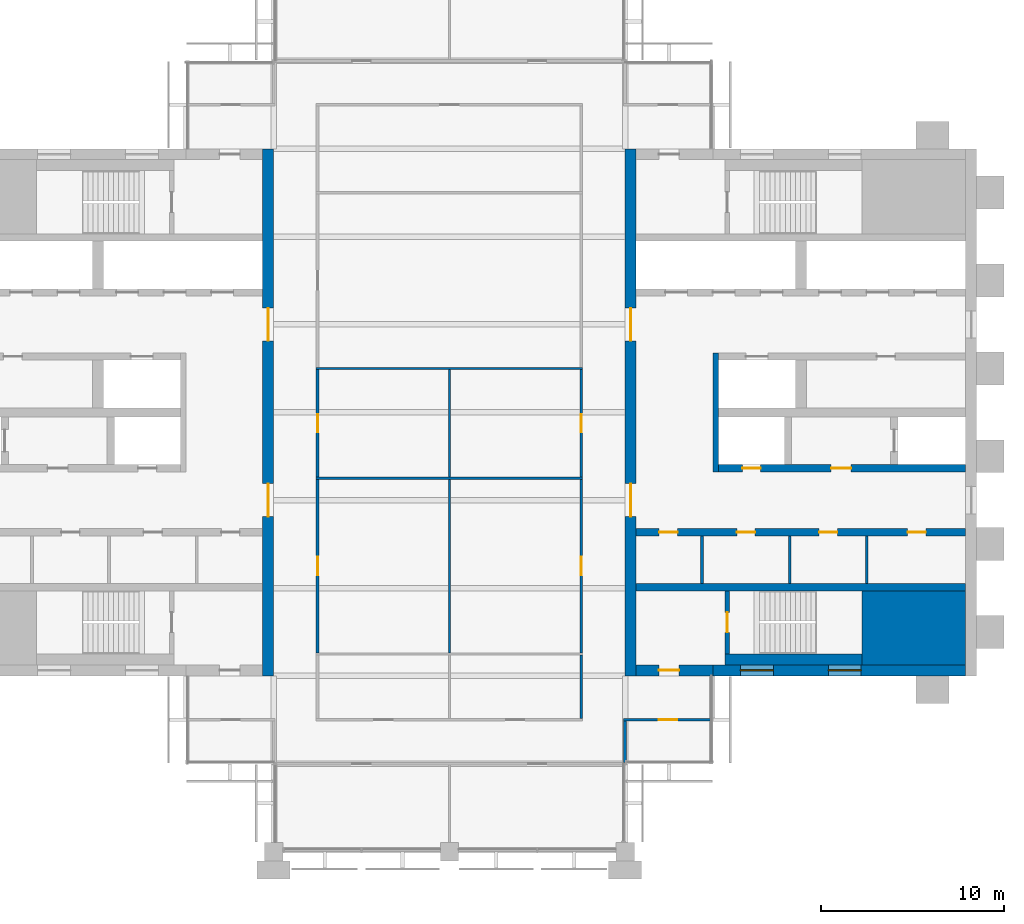
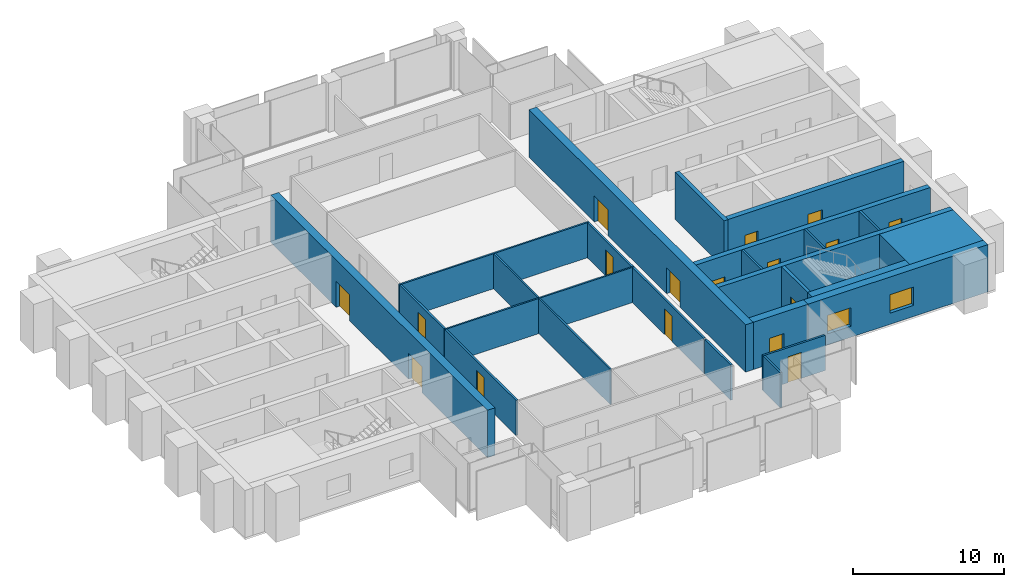
# One storey, part 9 of 12: 25 walls, 17 doors, 2 windows, 19 openings.
"""IFC4 building model written with IfcOpenShell, lengths in metres."""

from ifc_helpers import new_model, si_unit, direction, frame, frame_2d, origin, place, context, subcontext, project, spatial, rectangle, extrude, material, layer, layer_set, type_object, element, fill, save


model = new_model("IFC4")

# Units and contexts
model_context = context("Model", 3, precision=1e-05, world=origin(), true_north=direction((0.0, 1.0)))
body_context = subcontext(model_context, "Body", "Model", "MODEL_VIEW")
ifc_project = project(units=[si_unit("LENGTHUNIT", "METRE"), si_unit("AREAUNIT", "SQUARE_METRE"), si_unit("VOLUMEUNIT", "CUBIC_METRE"), si_unit("PLANEANGLEUNIT", "RADIAN"), si_unit("MASSUNIT", "GRAM", prefix="KILO")], contexts=[model_context])

# Site, building, storey
site_placement = place(None, origin())
site = spatial("IfcSite", under=ifc_project, at=site_placement, CompositionType="ELEMENT")
building_placement = place(site_placement, origin())
building = spatial("IfcBuilding", under=site, at=building_placement, Name="Baori Bourse Tower", CompositionType="ELEMENT")
storey_placement = place(building_placement, frame((0.0, 0.0, 310.300048828125)))
storey = spatial("IfcBuildingStorey", under=building, at=storey_placement, Name="L68", CompositionType="ELEMENT", Elevation=310.300048828125)

# Walls
ifc_material_1 = material(Name="Concrete f'c 40 MPa", Category="concrete")
wall_type_1 = type_object("IfcWallType", Name="Core corner block f'c 40", PredefinedType="SHEAR", material=ifc_material_1)
wall_1_placement = place(storey_placement, frame((51.35009765625, 12.22509765625, 0.0), z_axis=(0.0, 0.0, 1.0), x_axis=(1.0, 0.0, 0.0)))
element("IfcWall", 1, at=wall_1_placement, inside=storey, type_object=wall_type_1, Name="Core wall E05", PredefinedType="SHEAR", context=body_context, shape_type="SweptSolid", body=[
    extrude(rectangle(XDim=5.64990234375, YDim=4.050048828125, at=frame_2d((2.824951171875, 0.0))), origin(), (0.0, 0.0, 1.0), 3.83984375),
])
ifc_material_2 = material(Name="Blockwork partition", Category="masonry")
ifc_layer_1 = layer(ifc_material_2, 0.14990234375)
ifc_layer_set_1 = layer_set([ifc_layer_1], Name="Core partition 150")
wall_type_2 = type_object("IfcWallType", Name="Core partition 150", PredefinedType="PARTITIONING", material=ifc_layer_set_1)
for number, where, z_axis, x_axis, name in (
    (2, (51.60009765625, 14.64990234375, 0.0), (0.0, 0.0, 1.0), (0.0, 1.0, 0.0), "Partition wall E09"),
    (3, (47.39990234375, 14.64990234375, 0.0), (0.0, 0.0, 1.0), (0.0, 1.0, 0.0), "Partition wall E10"),
    (4, (42.60009765625, 14.64990234375, 0.0), (0.0, 0.0, 1.0), (0.0, 1.0, 0.0), "Partition wall E11"),
):
    element("IfcWall", number, at=place(storey_placement, frame(where, z_axis=z_axis, x_axis=x_axis)), inside=storey, type_object=wall_type_2, Name=name, PredefinedType="PARTITIONING", context=body_context, shape_type="SweptSolid", body=[
        extrude(rectangle(XDim=2.60009765625, YDim=0.14990234375, at=frame_2d((1.300048828125, 0.0))), origin(), (0.0, 0.0, 1.0), 3.83984375),
    ])

# Wall, openings, doors
ifc_material_3 = material(Name="Concrete f'c 40 MPa", Category="concrete")
ifc_layer_2 = layer(ifc_material_3, 0.60009765625)
ifc_layer_set_2 = layer_set([ifc_layer_2], Name="Core wall 600 f'c 40")
wall_type_3 = type_object("IfcWallType", Name="Core wall 600 f'c 40", PredefinedType="SHEAR", material=ifc_layer_set_2)
wall_2_placement = place(storey_placement, frame((18.89990234375, 38.39990234375, 0.0), z_axis=(0.0, 0.0, 1.0), x_axis=(0.0, -1.0, 0.0)))
wall_2 = element("IfcWall", 5, at=wall_2_placement, inside=storey, type_object=wall_type_3, Name="Core wall W04", PredefinedType="SHEAR", context=body_context, shape_type="SweptSolid", body=[
    extrude(rectangle(XDim=28.7998046875, YDim=0.60009765625, at=frame_2d((14.39990234375, 0.0))), origin(), (0.0, 0.0, 1.0), 3.83984375),
])
opening_1_placement = place(wall_2_placement, frame((18.300048828125, 0.0, 0.0)))
opening_1 = element("IfcOpeningElement", 6, at=opening_1_placement, cuts=wall_2, Name="Opening L68-D107", PredefinedType="OPENING", context=body_context, shape_type="SweptSolid", body=[
    extrude(rectangle(XDim=1.800048828125, YDim=2.10009765625, at=frame_2d((0.89990234375, 1.050048828125))), frame((0.0, 0.31005859375, 0.0), z_axis=(0.0, -1.0, 0.0), x_axis=(1.0, 0.0, 0.0)), (0.0, 0.0, 1.0), 0.6201171875),
])
opening_2_placement = place(wall_2_placement, frame((8.699951171875, 0.0, 0.0)))
opening_2 = element("IfcOpeningElement", 7, at=opening_2_placement, cuts=wall_2, Name="Opening L68-D108", PredefinedType="OPENING", context=body_context, shape_type="SweptSolid", body=[
    extrude(rectangle(XDim=1.800048828125, YDim=2.10009765625, at=frame_2d((0.89990234375, 1.050048828125))), frame((0.0, 0.31005859375, 0.0), z_axis=(0.0, -1.0, 0.0), x_axis=(1.0, 0.0, 0.0)), (0.0, 0.0, 1.0), 0.6201171875),
])
ifc_material_4 = material(Name="Painted steel door", Category="steel")
door_type_1 = type_object("IfcDoorType", Name="Core lobby door 1800", OperationType="DOUBLE_DOOR_SINGLE_SWING", PredefinedType="DOOR", material=ifc_material_4)
door_1_placement = place(opening_1_placement, origin())
door_1 = element("IfcDoor", 8, at=door_1_placement, inside=storey, type_object=door_type_1, Name="Lobby door W L68", OperationType="DOUBLE_DOOR_SINGLE_SWING", OverallHeight=2.10009765625, OverallWidth=1.800048828125, PredefinedType="DOOR", context=body_context, shape_type="SweptSolid", body=[
    extrude(rectangle(XDim=1.800048828125, YDim=2.10009765625, at=frame_2d((0.89990234375, 1.050048828125))), frame((0.0, 0.02490234375, 0.0), z_axis=(0.0, -1.0, 0.0), x_axis=(1.0, 0.0, 0.0)), (0.0, 0.0, 1.0), 0.050048828125),
])
fill(opening_1, door_1)
door_2_placement = place(opening_2_placement, origin())
door_2 = element("IfcDoor", 9, at=door_2_placement, inside=storey, type_object=door_type_1, Name="Lobby door W L68", OperationType="DOUBLE_DOOR_SINGLE_SWING", OverallHeight=2.10009765625, OverallWidth=1.800048828125, PredefinedType="DOOR", context=body_context, shape_type="SweptSolid", body=[
    extrude(rectangle(XDim=1.800048828125, YDim=2.10009765625, at=frame_2d((0.89990234375, 1.050048828125))), frame((0.0, 0.02490234375, 0.0), z_axis=(0.0, -1.0, 0.0), x_axis=(1.0, 0.0, 0.0)), (0.0, 0.0, 1.0), 0.050048828125),
])
fill(opening_2, door_2)

# Wall, openings, windows
wall_3_placement = place(storey_placement, frame((57.0, 9.89990234375, 0.0), z_axis=(0.0, 0.0, 1.0), x_axis=(-1.0, 0.0, 0.0)))
wall_3 = element("IfcWall", 10, at=wall_3_placement, inside=storey, type_object=wall_type_3, Name="Core wall E02", PredefinedType="SHEAR", context=body_context, shape_type="SweptSolid", body=[
    extrude(rectangle(XDim=13.800048828125, YDim=0.60009765625, at=frame_2d((6.89990234375, 0.0))), origin(), (0.0, 0.0, 1.0), 3.83984375),
])
opening_3_placement = place(wall_3_placement, frame((5.699951171875, 0.0, 0.89990234375)))
opening_3 = element("IfcOpeningElement", 11, at=opening_3_placement, cuts=wall_3, Name="Opening L68-KW203", PredefinedType="OPENING", context=body_context, shape_type="SweptSolid", body=[
    extrude(rectangle(XDim=1.800048828125, YDim=1.5, at=frame_2d((0.89990234375, 0.75))), frame((0.0, 0.31005859375, 0.0), z_axis=(0.0, -1.0, 0.0), x_axis=(1.0, 0.0, 0.0)), (0.0, 0.0, 1.0), 0.6201171875),
])
opening_4_placement = place(wall_3_placement, frame((10.5, 0.0, 0.89990234375)))
opening_4 = element("IfcOpeningElement", 12, at=opening_4_placement, cuts=wall_3, Name="Opening L68-KW204", PredefinedType="OPENING", context=body_context, shape_type="SweptSolid", body=[
    extrude(rectangle(XDim=1.800048828125, YDim=1.5, at=frame_2d((0.89990234375, 0.75))), frame((0.0, 0.31005859375, 0.0), z_axis=(0.0, -1.0, 0.0), x_axis=(1.0, 0.0, 0.0)), (0.0, 0.0, 1.0), 0.6201171875),
])
ifc_material_5 = material(Name="Pale anodised aluminium", Category="aluminium")
window_type = type_object("IfcWindowType", Name="Stair window 1800 x 1500", PartitioningType="SINGLE_PANEL", PredefinedType="WINDOW", material=ifc_material_5)
window_1_placement = place(opening_3_placement, origin())
window_1 = element("IfcWindow", 13, at=window_1_placement, inside=storey, type_object=window_type, Name="Stair window E L68 3", OverallHeight=1.5, OverallWidth=1.800048828125, PartitioningType="SINGLE_PANEL", PredefinedType="WINDOW", context=body_context, shape_type="SweptSolid", body=[
    extrude(rectangle(XDim=1.800048828125, YDim=1.5, at=frame_2d((0.89990234375, 0.75))), frame((0.0, 0.030029296875, 0.0), z_axis=(0.0, -1.0, 0.0), x_axis=(1.0, 0.0, 0.0)), (0.0, 0.0, 1.0), 0.06005859375),
])
fill(opening_3, window_1)
window_2_placement = place(opening_4_placement, origin())
window_2 = element("IfcWindow", 14, at=window_2_placement, inside=storey, type_object=window_type, Name="Stair window E L68 4", OverallHeight=1.5, OverallWidth=1.800048828125, PartitioningType="SINGLE_PANEL", PredefinedType="WINDOW", context=body_context, shape_type="SweptSolid", body=[
    extrude(rectangle(XDim=1.800048828125, YDim=1.5, at=frame_2d((0.89990234375, 0.75))), frame((0.0, 0.030029296875, 0.0), z_axis=(0.0, -1.0, 0.0), x_axis=(1.0, 0.0, 0.0)), (0.0, 0.0, 1.0), 0.06005859375),
])
fill(opening_4, window_2)

# Wall, opening, door
wall_4_placement = place(storey_placement, frame((43.199951171875, 9.89990234375, 0.0), z_axis=(0.0, 0.0, 1.0), x_axis=(-1.0, 0.0, 0.0)))
wall_4 = element("IfcWall", 15, at=wall_4_placement, inside=storey, type_object=wall_type_3, Name="Core wall E03", PredefinedType="SHEAR", context=body_context, shape_type="SweptSolid", body=[
    extrude(rectangle(XDim=4.199951171875, YDim=0.60009765625, at=frame_2d((2.10009765625, 0.0))), origin(), (0.0, 0.0, 1.0), 3.83984375),
])
opening_5_placement = place(wall_4_placement, frame((1.85009765625, 0.0, 0.0)))
opening_5 = element("IfcOpeningElement", 16, at=opening_5_placement, cuts=wall_4, Name="Opening L68-D202", PredefinedType="OPENING", context=body_context, shape_type="SweptSolid", body=[
    extrude(rectangle(XDim=1.10009765625, YDim=2.10009765625, at=frame_2d((0.550048828125, 1.050048828125))), frame((0.0, 0.31005859375, 0.0), z_axis=(0.0, -1.0, 0.0), x_axis=(1.0, 0.0, 0.0)), (0.0, 0.0, 1.0), 0.6201171875),
])
ifc_material_6 = material(Name="Painted steel door", Category="steel")
door_type_2 = type_object("IfcDoorType", Name="Stair door 1100", OperationType="SINGLE_SWING_LEFT", PredefinedType="DOOR", material=ifc_material_6)
door_3_placement = place(opening_5_placement, origin())
door_3 = element("IfcDoor", 17, at=door_3_placement, inside=storey, type_object=door_type_2, Name="Stair vestibule door A E L68", OperationType="SINGLE_SWING_LEFT", OverallHeight=2.10009765625, OverallWidth=1.10009765625, PredefinedType="DOOR", context=body_context, shape_type="SweptSolid", body=[
    extrude(rectangle(XDim=1.10009765625, YDim=2.10009765625, at=frame_2d((0.550048828125, 1.050048828125))), frame((0.0, 0.02490234375, 0.0), z_axis=(0.0, -1.0, 0.0), x_axis=(1.0, 0.0, 0.0)), (0.0, 0.0, 1.0), 0.050048828125),
])
fill(opening_5, door_3)

# Wall, openings, doors
wall_5_placement = place(storey_placement, frame((38.699951171875, 9.60009765625, 0.0), z_axis=(0.0, 0.0, 1.0), x_axis=(0.0, 1.0, 0.0)))
wall_5 = element("IfcWall", 18, at=wall_5_placement, inside=storey, type_object=wall_type_3, Name="Core wall E04", PredefinedType="SHEAR", context=body_context, shape_type="SweptSolid", body=[
    extrude(rectangle(XDim=28.7998046875, YDim=0.60009765625, at=frame_2d((14.39990234375, 0.0))), origin(), (0.0, 0.0, 1.0), 3.83984375),
])
opening_6_placement = place(wall_5_placement, frame((8.699951171875, 0.0, 0.0)))
opening_6 = element("IfcOpeningElement", 19, at=opening_6_placement, cuts=wall_5, Name="Opening L68-D207", PredefinedType="OPENING", context=body_context, shape_type="SweptSolid", body=[
    extrude(rectangle(XDim=1.800048828125, YDim=2.10009765625, at=frame_2d((0.89990234375, 1.050048828125))), frame((0.0, 0.31005859375, 0.0), z_axis=(0.0, -1.0, 0.0), x_axis=(1.0, 0.0, 0.0)), (0.0, 0.0, 1.0), 0.6201171875),
])
opening_7_placement = place(wall_5_placement, frame((18.300048828125, 0.0, 0.0)))
opening_7 = element("IfcOpeningElement", 20, at=opening_7_placement, cuts=wall_5, Name="Opening L68-D208", PredefinedType="OPENING", context=body_context, shape_type="SweptSolid", body=[
    extrude(rectangle(XDim=1.800048828125, YDim=2.10009765625, at=frame_2d((0.89990234375, 1.050048828125))), frame((0.0, 0.31005859375, 0.0), z_axis=(0.0, -1.0, 0.0), x_axis=(1.0, 0.0, 0.0)), (0.0, 0.0, 1.0), 0.6201171875),
])
door_4_placement = place(opening_6_placement, origin())
door_4 = element("IfcDoor", 21, at=door_4_placement, inside=storey, type_object=door_type_1, Name="Lobby door E L68", OperationType="DOUBLE_DOOR_SINGLE_SWING", OverallHeight=2.10009765625, OverallWidth=1.800048828125, PredefinedType="DOOR", context=body_context, shape_type="SweptSolid", body=[
    extrude(rectangle(XDim=1.800048828125, YDim=2.10009765625, at=frame_2d((0.89990234375, 1.050048828125))), frame((0.0, 0.02490234375, 0.0), z_axis=(0.0, -1.0, 0.0), x_axis=(1.0, 0.0, 0.0)), (0.0, 0.0, 1.0), 0.050048828125),
])
fill(opening_6, door_4)
door_5_placement = place(opening_7_placement, origin())
door_5 = element("IfcDoor", 22, at=door_5_placement, inside=storey, type_object=door_type_1, Name="Lobby door E L68", OperationType="DOUBLE_DOOR_SINGLE_SWING", OverallHeight=2.10009765625, OverallWidth=1.800048828125, PredefinedType="DOOR", context=body_context, shape_type="SweptSolid", body=[
    extrude(rectangle(XDim=1.800048828125, YDim=2.10009765625, at=frame_2d((0.89990234375, 1.050048828125))), frame((0.0, 0.02490234375, 0.0), z_axis=(0.0, -1.0, 0.0), x_axis=(1.0, 0.0, 0.0)), (0.0, 0.0, 1.0), 0.050048828125),
])
fill(opening_7, door_5)

# Wall, opening, door
ifc_material_7 = material(Name="Gypsum board partition")
ifc_layer_3 = layer(ifc_material_7, 0.14990234375)
ifc_layer_set_3 = layer_set([ifc_layer_3], Name="Corridor partition 150")
wall_type_4 = type_object("IfcWallType", Name="Corridor partition 150", PredefinedType="PARTITIONING", material=ifc_layer_set_3)
wall_6_placement = place(storey_placement, frame((38.324951171875, 7.199951171875, 0.0), z_axis=(0.0, 0.0, 1.0), x_axis=(1.0, 0.0, 0.0)))
wall_6 = element("IfcWall", 23, at=wall_6_placement, inside=storey, type_object=wall_type_4, Name="Partition", PredefinedType="PARTITIONING", context=body_context, shape_type="SweptSolid", body=[
    extrude(rectangle(XDim=4.775146484375, YDim=0.14990234375, at=frame_2d((2.3876953125, 0.0))), origin(), (0.0, 0.0, 1.0), 2.849365234375),
])
opening_8_placement = place(wall_6_placement, frame((1.925048828125, 0.0, 0.0)))
opening_8 = element("IfcOpeningElement", 24, at=opening_8_placement, cuts=wall_6, Name="Opening L68-D06", PredefinedType="OPENING", context=body_context, shape_type="SweptSolid", body=[
    extrude(rectangle(XDim=1.0, YDim=2.10009765625, at=frame_2d((0.5, 1.050048828125))), frame((0.0, 0.0849609375, 0.0), z_axis=(0.0, -1.0, 0.0), x_axis=(1.0, 0.0, 0.0)), (0.0, 0.0, 1.0), 0.169921875),
])
ifc_material_8 = material(Name="Timber door leaf", Category="wood")
door_type_3 = type_object("IfcDoorType", Name="Door 1000 x 2100", OperationType="SINGLE_SWING_LEFT", PredefinedType="DOOR", material=ifc_material_8)
door_6_placement = place(opening_8_placement, origin())
door_6 = element("IfcDoor", 25, at=door_6_placement, inside=storey, type_object=door_type_3, Name="Door", OperationType="SINGLE_SWING_RIGHT", OverallHeight=2.10009765625, OverallWidth=1.0, PredefinedType="DOOR", context=body_context, shape_type="SweptSolid", body=[
    extrude(rectangle(XDim=1.0, YDim=2.10009765625, at=frame_2d((0.5, 1.050048828125))), frame((0.0, 0.02490234375, 0.0), z_axis=(0.0, -1.0, 0.0), x_axis=(1.0, 0.0, 0.0)), (0.0, 0.0, 1.0), 0.050048828125),
])
fill(opening_8, door_6)

wall_7_placement = place(storey_placement, frame((21.60009765625, 10.862548828125, 0.0), z_axis=(0.0, 0.0, 1.0), x_axis=(0.0, 1.0, 0.0)))
wall_7 = element("IfcWall", 26, at=wall_7_placement, inside=storey, type_object=wall_type_4, Name="Partition", PredefinedType="PARTITIONING", context=body_context, shape_type="SweptSolid", body=[
    extrude(rectangle(XDim=9.474853515625, YDim=0.14990234375, at=frame_2d((4.7373046875, 0.0))), origin(), (0.0, 0.0, 1.0), 2.849365234375),
])
opening_9_placement = place(wall_7_placement, frame((4.237548828125, 0.0, 0.0)))
opening_9 = element("IfcOpeningElement", 27, at=opening_9_placement, cuts=wall_7, Name="Opening L68-D12", PredefinedType="OPENING", context=body_context, shape_type="SweptSolid", body=[
    extrude(rectangle(XDim=1.0, YDim=2.10009765625, at=frame_2d((0.5, 1.050048828125))), frame((0.0, 0.0849609375, 0.0), z_axis=(0.0, -1.0, 0.0), x_axis=(1.0, 0.0, 0.0)), (0.0, 0.0, 1.0), 0.169921875),
])
door_7_placement = place(opening_9_placement, origin())
door_7 = element("IfcDoor", 28, at=door_7_placement, inside=storey, type_object=door_type_3, Name="Door", OperationType="SINGLE_SWING_LEFT", OverallHeight=2.10009765625, OverallWidth=1.0, PredefinedType="DOOR", context=body_context, shape_type="SweptSolid", body=[
    extrude(rectangle(XDim=1.0, YDim=2.10009765625, at=frame_2d((0.5, 1.050048828125))), frame((0.0, 0.02490234375, 0.0), z_axis=(0.0, -1.0, 0.0), x_axis=(1.0, 0.0, 0.0)), (0.0, 0.0, 1.0), 0.050048828125),
])
fill(opening_9, door_7)

wall_8_placement = place(storey_placement, frame((21.60009765625, 20.46240234375, 0.0), z_axis=(0.0, 0.0, 1.0), x_axis=(0.0, 1.0, 0.0)))
wall_8 = element("IfcWall", 29, at=wall_8_placement, inside=storey, type_object=wall_type_4, Name="Partition", PredefinedType="PARTITIONING", context=body_context, shape_type="SweptSolid", body=[
    extrude(rectangle(XDim=5.875, YDim=0.14990234375, at=frame_2d((2.9375, 0.0))), origin(), (0.0, 0.0, 1.0), 2.849365234375),
])
opening_10_placement = place(wall_8_placement, frame((2.4375, 0.0, 0.0)))
opening_10 = element("IfcOpeningElement", 30, at=opening_10_placement, cuts=wall_8, Name="Opening L68-D13", PredefinedType="OPENING", context=body_context, shape_type="SweptSolid", body=[
    extrude(rectangle(XDim=1.0, YDim=2.10009765625, at=frame_2d((0.5, 1.050048828125))), frame((0.0, 0.0849609375, 0.0), z_axis=(0.0, -1.0, 0.0), x_axis=(1.0, 0.0, 0.0)), (0.0, 0.0, 1.0), 0.169921875),
])
door_8_placement = place(opening_10_placement, origin())
door_8 = element("IfcDoor", 31, at=door_8_placement, inside=storey, type_object=door_type_3, Name="Door", OperationType="SINGLE_SWING_LEFT", OverallHeight=2.10009765625, OverallWidth=1.0, PredefinedType="DOOR", context=body_context, shape_type="SweptSolid", body=[
    extrude(rectangle(XDim=1.0, YDim=2.10009765625, at=frame_2d((0.5, 1.050048828125))), frame((0.0, 0.02490234375, 0.0), z_axis=(0.0, -1.0, 0.0), x_axis=(1.0, 0.0, 0.0)), (0.0, 0.0, 1.0), 0.050048828125),
])
fill(opening_10, door_8)

# Wall
wall_9_placement = place(storey_placement, frame((36.0, 7.27490234375, 0.0), z_axis=(0.0, 0.0, 1.0), x_axis=(0.0, 1.0, 0.0)))
element("IfcWall", 32, at=wall_9_placement, inside=storey, type_object=wall_type_4, Name="Partition", PredefinedType="PARTITIONING", context=body_context, shape_type="SweptSolid", body=[
    extrude(rectangle(XDim=3.462646484375, YDim=0.14990234375, at=frame_2d((1.7314453125, 0.0))), origin(), (0.0, 0.0, 1.0), 2.849365234375),
])

# Wall, opening, door
wall_10_placement = place(storey_placement, frame((36.0, 10.862548828125, 0.0), z_axis=(0.0, 0.0, 1.0), x_axis=(0.0, 1.0, 0.0)))
wall_10 = element("IfcWall", 33, at=wall_10_placement, inside=storey, type_object=wall_type_4, Name="Partition", PredefinedType="PARTITIONING", context=body_context, shape_type="SweptSolid", body=[
    extrude(rectangle(XDim=9.474853515625, YDim=0.14990234375, at=frame_2d((4.7373046875, 0.0))), origin(), (0.0, 0.0, 1.0), 2.849365234375),
])
opening_11_placement = place(wall_10_placement, frame((4.237548828125, 0.0, 0.0)))
opening_11 = element("IfcOpeningElement", 34, at=opening_11_placement, cuts=wall_10, Name="Opening L68-D15", PredefinedType="OPENING", context=body_context, shape_type="SweptSolid", body=[
    extrude(rectangle(XDim=1.0, YDim=2.10009765625, at=frame_2d((0.5, 1.050048828125))), frame((0.0, 0.0849609375, 0.0), z_axis=(0.0, -1.0, 0.0), x_axis=(1.0, 0.0, 0.0)), (0.0, 0.0, 1.0), 0.169921875),
])
door_9_placement = place(opening_11_placement, origin())
door_9 = element("IfcDoor", 35, at=door_9_placement, inside=storey, type_object=door_type_3, Name="Door", OperationType="SINGLE_SWING_RIGHT", OverallHeight=2.10009765625, OverallWidth=1.0, PredefinedType="DOOR", context=body_context, shape_type="SweptSolid", body=[
    extrude(rectangle(XDim=1.0, YDim=2.10009765625, at=frame_2d((0.5, 1.050048828125))), frame((0.0, 0.02490234375, 0.0), z_axis=(0.0, -1.0, 0.0), x_axis=(1.0, 0.0, 0.0)), (0.0, 0.0, 1.0), 0.050048828125),
])
fill(opening_11, door_9)

wall_11_placement = place(storey_placement, frame((36.0, 20.46240234375, 0.0), z_axis=(0.0, 0.0, 1.0), x_axis=(0.0, 1.0, 0.0)))
wall_11 = element("IfcWall", 36, at=wall_11_placement, inside=storey, type_object=wall_type_4, Name="Partition", PredefinedType="PARTITIONING", context=body_context, shape_type="SweptSolid", body=[
    extrude(rectangle(XDim=5.875, YDim=0.14990234375, at=frame_2d((2.9375, 0.0))), origin(), (0.0, 0.0, 1.0), 2.849365234375),
])
opening_12_placement = place(wall_11_placement, frame((2.4375, 0.0, 0.0)))
opening_12 = element("IfcOpeningElement", 37, at=opening_12_placement, cuts=wall_11, Name="Opening L68-D16", PredefinedType="OPENING", context=body_context, shape_type="SweptSolid", body=[
    extrude(rectangle(XDim=1.0, YDim=2.10009765625, at=frame_2d((0.5, 1.050048828125))), frame((0.0, 0.0849609375, 0.0), z_axis=(0.0, -1.0, 0.0), x_axis=(1.0, 0.0, 0.0)), (0.0, 0.0, 1.0), 0.169921875),
])
door_10_placement = place(opening_12_placement, origin())
door_10 = element("IfcDoor", 38, at=door_10_placement, inside=storey, type_object=door_type_3, Name="Door", OperationType="SINGLE_SWING_RIGHT", OverallHeight=2.10009765625, OverallWidth=1.0, PredefinedType="DOOR", context=body_context, shape_type="SweptSolid", body=[
    extrude(rectangle(XDim=1.0, YDim=2.10009765625, at=frame_2d((0.5, 1.050048828125))), frame((0.0, 0.02490234375, 0.0), z_axis=(0.0, -1.0, 0.0), x_axis=(1.0, 0.0, 0.0)), (0.0, 0.0, 1.0), 0.050048828125),
])
fill(opening_12, door_10)

# Walls
wall_12_placement = place(storey_placement, frame((38.39990234375, 4.875, 0.0), z_axis=(0.0, 0.0, 1.0), x_axis=(0.0, 1.0, 0.0)))
element("IfcWall", 39, at=wall_12_placement, inside=storey, type_object=wall_type_4, Name="Partition", PredefinedType="PARTITIONING", context=body_context, shape_type="SweptSolid", body=[
    extrude(rectangle(XDim=2.25, YDim=0.14990234375, at=frame_2d((1.125, 0.0))), origin(), (0.0, 0.0, 1.0), 2.849365234375),
])
ifc_material_9 = material(Name="Gypsum board partition")
ifc_layer_4 = layer(ifc_material_9, 0.125)
ifc_layer_set_4 = layer_set([ifc_layer_4], Name="Partition 125")
wall_type_5 = type_object("IfcWallType", Name="Partition 125", PredefinedType="PARTITIONING", material=ifc_layer_set_4)
for number, where, z_axis, x_axis, name in (
    (40, (21.52490234375, 20.39990234375, 0.0), (0.0, 0.0, 1.0), (1.0, 0.0, 0.0), "Partition"),
    (41, (21.52490234375, 26.39990234375, 0.0), (0.0, 0.0, 1.0), (1.0, 0.0, 0.0), "Partition"),
):
    element("IfcWall", number, at=place(storey_placement, frame(where, z_axis=z_axis, x_axis=x_axis)), inside=storey, type_object=wall_type_5, Name=name, PredefinedType="PARTITIONING", context=body_context, shape_type="SweptSolid", body=[
        extrude(rectangle(XDim=14.550048828125, YDim=0.125, at=frame_2d((7.27490234375, 0.0))), origin(), (0.0, 0.0, 1.0), 2.849365234375),
    ])
wall_13_placement = place(storey_placement, frame((28.800048828125, 10.862548828125, 0.0), z_axis=(0.0, 0.0, 1.0), x_axis=(0.0, 1.0, 0.0)))
element("IfcWall", 42, at=wall_13_placement, inside=storey, type_object=wall_type_5, Name="Partition", PredefinedType="PARTITIONING", context=body_context, shape_type="SweptSolid", body=[
    extrude(rectangle(XDim=9.474853515625, YDim=0.125, at=frame_2d((4.7373046875, 0.0))), origin(), (0.0, 0.0, 1.0), 2.849365234375),
])
wall_14_placement = place(storey_placement, frame((28.800048828125, 20.46240234375, 0.0), z_axis=(0.0, 0.0, 1.0), x_axis=(0.0, 1.0, 0.0)))
element("IfcWall", 43, at=wall_14_placement, inside=storey, type_object=wall_type_5, Name="Partition", PredefinedType="PARTITIONING", context=body_context, shape_type="SweptSolid", body=[
    extrude(rectangle(XDim=5.875, YDim=0.125, at=frame_2d((2.9375, 0.0))), origin(), (0.0, 0.0, 1.0), 2.849365234375),
])

# Wall, opening, door
ifc_material_10 = material(Name="Concrete f'c 40 MPa", Category="concrete")
ifc_layer_5 = layer(ifc_material_10, 0.25)
ifc_layer_set_5 = layer_set([ifc_layer_5], Name="Shaft wall 250 f'c 40")
wall_type_6 = type_object("IfcWallType", Name="Shaft wall 250 f'c 40", PredefinedType="SHEAR", material=ifc_layer_set_5)
wall_15_placement = place(storey_placement, frame((43.97509765625, 10.800048828125, 0.0), z_axis=(0.0, 0.0, 1.0), x_axis=(0.0, 1.0, 0.0)))
wall_15 = element("IfcWall", 44, at=wall_15_placement, inside=storey, type_object=wall_type_6, Name="Core wall E07", PredefinedType="SHEAR", context=body_context, shape_type="SweptSolid", body=[
    extrude(rectangle(XDim=3.449951171875, YDim=0.25, at=frame_2d((1.72509765625, 0.0))), origin(), (0.0, 0.0, 1.0), 3.83984375),
])
opening_13_placement = place(wall_15_placement, frame((1.175048828125, 0.0, 0.0)))
opening_13 = element("IfcOpeningElement", 45, at=opening_13_placement, cuts=wall_15, Name="Opening L68-D201", PredefinedType="OPENING", context=body_context, shape_type="SweptSolid", body=[
    extrude(rectangle(XDim=1.10009765625, YDim=2.10009765625, at=frame_2d((0.550048828125, 1.050048828125))), frame((0.0, 0.135009765625, 0.0), z_axis=(0.0, -1.0, 0.0), x_axis=(1.0, 0.0, 0.0)), (0.0, 0.0, 1.0), 0.27001953125),
])
door_11_placement = place(opening_13_placement, origin())
door_11 = element("IfcDoor", 46, at=door_11_placement, inside=storey, type_object=door_type_2, Name="Stair door A E L68", OperationType="SINGLE_SWING_LEFT", OverallHeight=2.10009765625, OverallWidth=1.10009765625, PredefinedType="DOOR", context=body_context, shape_type="SweptSolid", body=[
    extrude(rectangle(XDim=1.10009765625, YDim=2.10009765625, at=frame_2d((0.550048828125, 1.050048828125))), frame((0.0, 0.02490234375, 0.0), z_axis=(0.0, -1.0, 0.0), x_axis=(1.0, 0.0, 0.0)), (0.0, 0.0, 1.0), 0.050048828125),
])
fill(opening_13, door_11)

# Walls
ifc_material_11 = material(Name="Concrete f'c 40 MPa", Category="concrete")
ifc_layer_6 = layer(ifc_material_11, 0.300048828125)
ifc_layer_set_6 = layer_set([ifc_layer_6], Name="Shaft wall 300 f'c 40")
wall_type_7 = type_object("IfcWallType", Name="Shaft wall 300 f'c 40", PredefinedType="SHEAR", material=ifc_layer_set_6)
wall_16_placement = place(storey_placement, frame((43.35009765625, 20.75, 0.0), z_axis=(0.0, 0.0, 1.0), x_axis=(0.0, 1.0, 0.0)))
element("IfcWall", 47, at=wall_16_placement, inside=storey, type_object=wall_type_7, Name="Core wall E14", PredefinedType="SHEAR", context=body_context, shape_type="SweptSolid", body=[
    extrude(rectangle(XDim=6.5, YDim=0.300048828125, at=frame_2d((3.25, 0.0))), origin(), (0.0, 0.0, 1.0), 3.83984375),
])
ifc_material_12 = material(Name="Concrete f'c 40 MPa", Category="concrete")
ifc_layer_7 = layer(ifc_material_12, 0.39990234375)
ifc_layer_set_7 = layer_set([ifc_layer_7], Name="Shaft wall 400 f'c 40")
wall_type_8 = type_object("IfcWallType", Name="Shaft wall 400 f'c 40", PredefinedType="SHEAR", material=ifc_layer_set_7)
wall_17_placement = place(storey_placement, frame((39.0, 14.449951171875, 0.0), z_axis=(0.0, 0.0, 1.0), x_axis=(1.0, 0.0, 0.0)))
element("IfcWall", 48, at=wall_17_placement, inside=storey, type_object=wall_type_8, Name="Core wall E08", PredefinedType="SHEAR", context=body_context, shape_type="SweptSolid", body=[
    extrude(rectangle(XDim=18.0, YDim=0.39990234375, at=frame_2d((9.0, 0.0))), origin(), (0.0, 0.0, 1.0), 3.83984375),
])

# Wall, openings, doors
wall_18_placement = place(storey_placement, frame((39.0, 17.449951171875, 0.0), z_axis=(0.0, 0.0, 1.0), x_axis=(1.0, 0.0, 0.0)))
wall_18 = element("IfcWall", 49, at=wall_18_placement, inside=storey, type_object=wall_type_8, Name="Core wall E12", PredefinedType="SHEAR", context=body_context, shape_type="SweptSolid", body=[
    extrude(rectangle(XDim=18.0, YDim=0.39990234375, at=frame_2d((9.0, 0.0))), origin(), (0.0, 0.0, 1.0), 3.83984375),
])
opening_14_placement = place(wall_18_placement, frame((14.83740234375, 0.0, 0.0)))
opening_14 = element("IfcOpeningElement", 50, at=opening_14_placement, cuts=wall_18, Name="Opening L68-D209", PredefinedType="OPENING", context=body_context, shape_type="SweptSolid", body=[
    extrude(rectangle(XDim=1.0, YDim=2.10009765625, at=frame_2d((0.5, 1.050048828125))), frame((0.0, 0.2099609375, 0.0), z_axis=(0.0, -1.0, 0.0), x_axis=(1.0, 0.0, 0.0)), (0.0, 0.0, 1.0), 0.419921875),
])
opening_15_placement = place(wall_18_placement, frame((10.0, 0.0, 0.0)))
opening_15 = element("IfcOpeningElement", 51, at=opening_15_placement, cuts=wall_18, Name="Opening L68-D210", PredefinedType="OPENING", context=body_context, shape_type="SweptSolid", body=[
    extrude(rectangle(XDim=1.0, YDim=2.10009765625, at=frame_2d((0.5, 1.050048828125))), frame((0.0, 0.2099609375, 0.0), z_axis=(0.0, -1.0, 0.0), x_axis=(1.0, 0.0, 0.0)), (0.0, 0.0, 1.0), 0.419921875),
])
opening_16_placement = place(wall_18_placement, frame((5.5, 0.0, 0.0)))
opening_16 = element("IfcOpeningElement", 52, at=opening_16_placement, cuts=wall_18, Name="Opening L68-D211", PredefinedType="OPENING", context=body_context, shape_type="SweptSolid", body=[
    extrude(rectangle(XDim=1.0, YDim=2.10009765625, at=frame_2d((0.5, 1.050048828125))), frame((0.0, 0.2099609375, 0.0), z_axis=(0.0, -1.0, 0.0), x_axis=(1.0, 0.0, 0.0)), (0.0, 0.0, 1.0), 0.419921875),
])
opening_17_placement = place(wall_18_placement, frame((1.262451171875, 0.0, 0.0)))
opening_17 = element("IfcOpeningElement", 53, at=opening_17_placement, cuts=wall_18, Name="Opening L68-D212", PredefinedType="OPENING", context=body_context, shape_type="SweptSolid", body=[
    extrude(rectangle(XDim=1.0, YDim=2.10009765625, at=frame_2d((0.5, 1.050048828125))), frame((0.0, 0.2099609375, 0.0), z_axis=(0.0, -1.0, 0.0), x_axis=(1.0, 0.0, 0.0)), (0.0, 0.0, 1.0), 0.419921875),
])
ifc_material_13 = material(Name="Painted steel door", Category="steel")
door_type_4 = type_object("IfcDoorType", Name="Core door 1000", OperationType="SINGLE_SWING_LEFT", PredefinedType="DOOR", material=ifc_material_13)
door_12_placement = place(opening_14_placement, origin())
door_12 = element("IfcDoor", 54, at=door_12_placement, inside=storey, type_object=door_type_4, Name="Men'S Wc door E L68", OperationType="SINGLE_SWING_LEFT", OverallHeight=2.10009765625, OverallWidth=1.0, PredefinedType="DOOR", context=body_context, shape_type="SweptSolid", body=[
    extrude(rectangle(XDim=1.0, YDim=2.10009765625, at=frame_2d((0.5, 1.050048828125))), frame((0.0, 0.02490234375, 0.0), z_axis=(0.0, -1.0, 0.0), x_axis=(1.0, 0.0, 0.0)), (0.0, 0.0, 1.0), 0.050048828125),
])
fill(opening_14, door_12)
door_13_placement = place(opening_15_placement, origin())
door_13 = element("IfcDoor", 55, at=door_13_placement, inside=storey, type_object=door_type_4, Name="Accessible Wc door E L68", OperationType="SINGLE_SWING_LEFT", OverallHeight=2.10009765625, OverallWidth=1.0, PredefinedType="DOOR", context=body_context, shape_type="SweptSolid", body=[
    extrude(rectangle(XDim=1.0, YDim=2.10009765625, at=frame_2d((0.5, 1.050048828125))), frame((0.0, 0.02490234375, 0.0), z_axis=(0.0, -1.0, 0.0), x_axis=(1.0, 0.0, 0.0)), (0.0, 0.0, 1.0), 0.050048828125),
])
fill(opening_15, door_13)
door_14_placement = place(opening_16_placement, origin())
door_14 = element("IfcDoor", 56, at=door_14_placement, inside=storey, type_object=door_type_4, Name="Women'S Wc door E L68", OperationType="SINGLE_SWING_LEFT", OverallHeight=2.10009765625, OverallWidth=1.0, PredefinedType="DOOR", context=body_context, shape_type="SweptSolid", body=[
    extrude(rectangle(XDim=1.0, YDim=2.10009765625, at=frame_2d((0.5, 1.050048828125))), frame((0.0, 0.02490234375, 0.0), z_axis=(0.0, -1.0, 0.0), x_axis=(1.0, 0.0, 0.0)), (0.0, 0.0, 1.0), 0.050048828125),
])
fill(opening_16, door_14)
ifc_material_14 = material(Name="Painted steel door", Category="steel")
door_type_5 = type_object("IfcDoorType", Name="Plant room door 1000", OperationType="SINGLE_SWING_LEFT", PredefinedType="DOOR", material=ifc_material_14)
door_15_placement = place(opening_17_placement, origin())
door_15 = element("IfcDoor", 57, at=door_15_placement, inside=storey, type_object=door_type_5, Name="Communications Room door E L68", OperationType="SINGLE_SWING_LEFT", OverallHeight=2.10009765625, OverallWidth=1.0, PredefinedType="DOOR", context=body_context, shape_type="SweptSolid", body=[
    extrude(rectangle(XDim=1.0, YDim=2.10009765625, at=frame_2d((0.5, 1.050048828125))), frame((0.0, 0.02490234375, 0.0), z_axis=(0.0, -1.0, 0.0), x_axis=(1.0, 0.0, 0.0)), (0.0, 0.0, 1.0), 0.050048828125),
])
fill(opening_17, door_15)

wall_19_placement = place(storey_placement, frame((43.5, 20.949951171875, 0.0), z_axis=(0.0, 0.0, 1.0), x_axis=(1.0, 0.0, 0.0)))
wall_19 = element("IfcWall", 58, at=wall_19_placement, inside=storey, type_object=wall_type_8, Name="Core wall E13", PredefinedType="SHEAR", context=body_context, shape_type="SweptSolid", body=[
    extrude(rectangle(XDim=13.5, YDim=0.39990234375, at=frame_2d((6.75, 0.0))), origin(), (0.0, 0.0, 1.0), 3.83984375),
])
opening_18_placement = place(wall_19_placement, frame((6.14990234375, 0.0, 0.0)))
opening_18 = element("IfcOpeningElement", 59, at=opening_18_placement, cuts=wall_19, Name="Opening L68-D205", PredefinedType="OPENING", context=body_context, shape_type="SweptSolid", body=[
    extrude(rectangle(XDim=1.10009765625, YDim=2.10009765625, at=frame_2d((0.550048828125, 1.050048828125))), frame((0.0, 0.2099609375, 0.0), z_axis=(0.0, -1.0, 0.0), x_axis=(1.0, 0.0, 0.0)), (0.0, 0.0, 1.0), 0.419921875),
])
opening_19_placement = place(wall_19_placement, frame((1.300048828125, 0.0, 0.0)))
opening_19 = element("IfcOpeningElement", 60, at=opening_19_placement, cuts=wall_19, Name="Opening L68-D206", PredefinedType="OPENING", context=body_context, shape_type="SweptSolid", body=[
    extrude(rectangle(XDim=1.0, YDim=2.10009765625, at=frame_2d((0.5, 1.050048828125))), frame((0.0, 0.2099609375, 0.0), z_axis=(0.0, -1.0, 0.0), x_axis=(1.0, 0.0, 0.0)), (0.0, 0.0, 1.0), 0.419921875),
])
ifc_material_15 = material(Name="Painted steel door", Category="steel")
door_type_6 = type_object("IfcDoorType", Name="Lobby door 1100", OperationType="SINGLE_SWING_LEFT", PredefinedType="DOOR", material=ifc_material_15)
door_16_placement = place(opening_18_placement, origin())
door_16 = element("IfcDoor", 61, at=door_16_placement, inside=storey, type_object=door_type_6, Name="Firefighting lobby door E L68", OperationType="SINGLE_SWING_LEFT", OverallHeight=2.10009765625, OverallWidth=1.10009765625, PredefinedType="DOOR", context=body_context, shape_type="SweptSolid", body=[
    extrude(rectangle(XDim=1.10009765625, YDim=2.10009765625, at=frame_2d((0.550048828125, 1.050048828125))), frame((0.0, 0.02490234375, 0.0), z_axis=(0.0, -1.0, 0.0), x_axis=(1.0, 0.0, 0.0)), (0.0, 0.0, 1.0), 0.050048828125),
])
fill(opening_18, door_16)
ifc_material_16 = material(Name="Painted steel door", Category="steel")
door_type_7 = type_object("IfcDoorType", Name="Shaft door 1000", OperationType="SINGLE_SWING_LEFT", PredefinedType="DOOR", material=ifc_material_16)
door_17_placement = place(opening_19_placement, origin())
door_17 = element("IfcDoor", 62, at=door_17_placement, inside=storey, type_object=door_type_7, Name="Riser room door E L68", OperationType="SINGLE_SWING_LEFT", OverallHeight=2.10009765625, OverallWidth=1.0, PredefinedType="DOOR", context=body_context, shape_type="SweptSolid", body=[
    extrude(rectangle(XDim=1.0, YDim=2.10009765625, at=frame_2d((0.5, 1.050048828125))), frame((0.0, 0.02490234375, 0.0), z_axis=(0.0, -1.0, 0.0), x_axis=(1.0, 0.0, 0.0)), (0.0, 0.0, 1.0), 0.050048828125),
])
fill(opening_19, door_17)

# Wall
ifc_material_17 = material(Name="Concrete f'c 40 MPa", Category="concrete")
ifc_layer_8 = layer(ifc_material_17, 0.60009765625)
ifc_layer_set_8 = layer_set([ifc_layer_8], Name="Shaft wall 600 f'c 40")
wall_type_9 = type_object("IfcWallType", Name="Shaft wall 600 f'c 40", PredefinedType="SHEAR", material=ifc_layer_set_8)
wall_20_placement = place(storey_placement, frame((43.85009765625, 10.5, 0.0), z_axis=(0.0, 0.0, 1.0), x_axis=(1.0, 0.0, 0.0)))
element("IfcWall", 63, at=wall_20_placement, inside=storey, type_object=wall_type_9, Name="Core wall E06", PredefinedType="SHEAR", context=body_context, shape_type="SweptSolid", body=[
    extrude(rectangle(XDim=7.5, YDim=0.60009765625, at=frame_2d((3.75, 0.0))), origin(), (0.0, 0.0, 1.0), 3.83984375),
])

save(model, "model.ifc")
